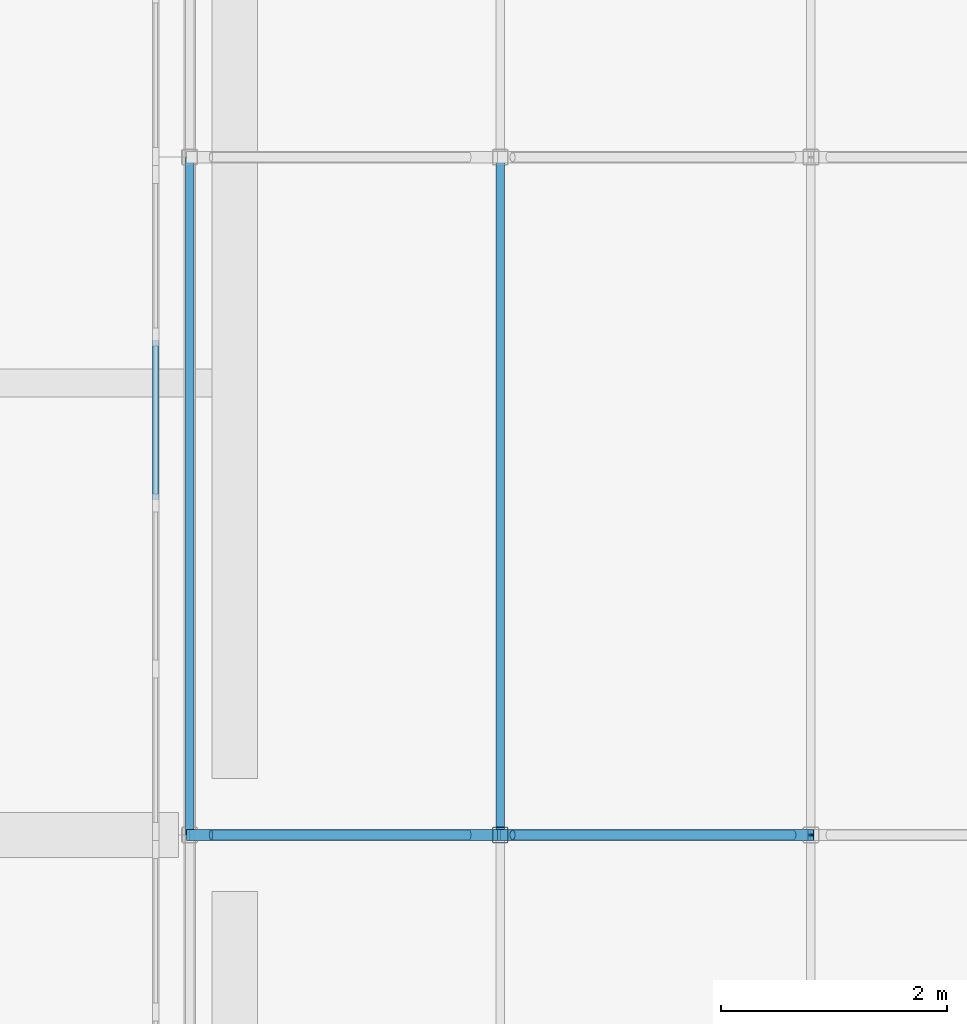
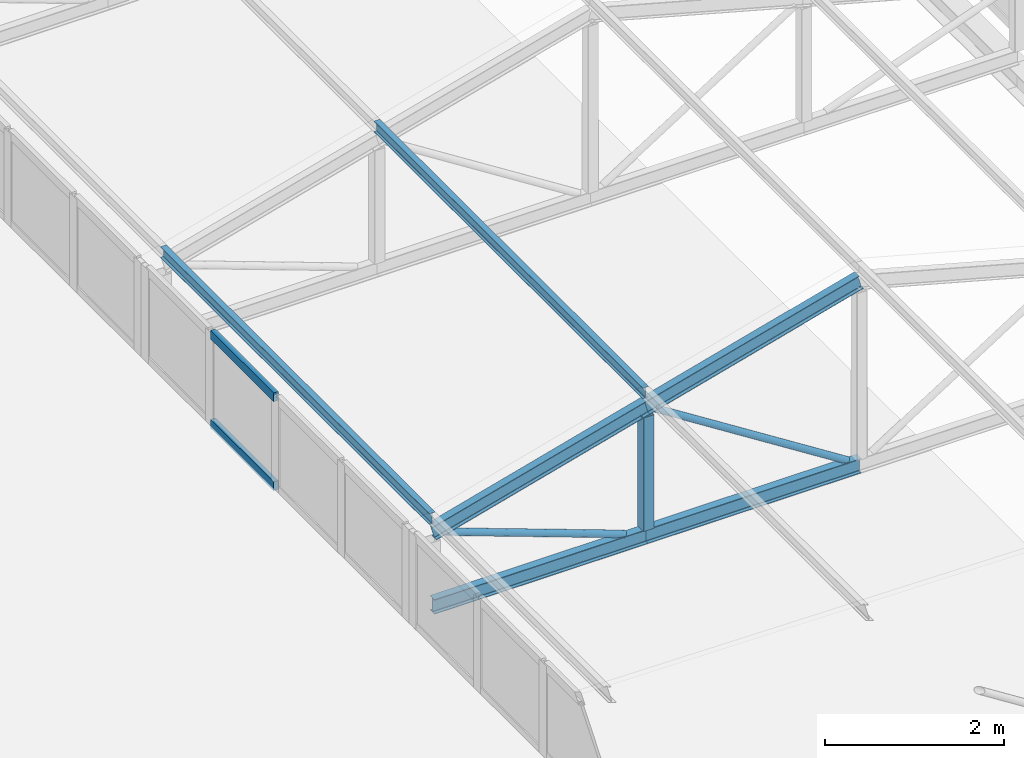
# One storey, part 34 of 94: 11 members, 1 element without a shape of its own.
"""IFC4 building model written with IfcOpenShell, lengths in metres."""

from ifc_helpers import new_model, si_unit, direction, frame, origin, origin_2d, place, context, subcontext, project, spatial, rectangle, hollow_rectangle, hollow_circle, i_section, extrude, material, layer, layer_set, material_profile, profile_set, type_object, element, aggregate, save


model = new_model("IFC4")

# Units and contexts
model_context = context("Model", 3, precision=1e-05, world=origin(), true_north=direction((0.0, 1.0)))
body_context = subcontext(model_context, "Body", "Model", "MODEL_VIEW")
ifc_project = project(units=[si_unit("LENGTHUNIT", "METRE"), si_unit("AREAUNIT", "SQUARE_METRE"), si_unit("VOLUMEUNIT", "CUBIC_METRE"), si_unit("PLANEANGLEUNIT", "RADIAN"), si_unit("MASSUNIT", "GRAM", prefix="KILO")], contexts=[model_context])

# Site, building, storey
site_placement = place(None, origin())
site = spatial("IfcSite", under=ifc_project, at=site_placement, CompositionType="ELEMENT")
building_placement = place(site_placement, origin())
building = spatial("IfcBuilding", under=site, at=building_placement, Name="Lilac Gate Convention Centre", CompositionType="ELEMENT")
storey_placement = place(building_placement, frame((0.0, 0.0, 21.0)))
storey = spatial("IfcBuildingStorey", under=building, at=storey_placement, Name="L04", CompositionType="ELEMENT", Elevation=21.0)

# Curtain wall, members
ifc_material_1 = material(Name="Aluminium framed double glazing", Category="aluminium")
ifc_layer = layer(ifc_material_1, 0.199951171875)
ifc_layer_set = layer_set([ifc_layer], Name="Aluminium framed double glazing")
curtain_wall_type = type_object("IfcCurtainWallType", Name="Unitised curtain wall 1500", PredefinedType="NOTDEFINED", material=ifc_layer_set)
curtain_wall_placement = place(storey_placement, origin())
curtain_wall = element("IfcCurtainWall", 1, at=curtain_wall_placement, inside=storey, type_object=curtain_wall_type, Name="Lantern clerestory W 19", PredefinedType="NOTDEFINED")
ifc_material_2 = material(Name="Aluminium alloy 6063", Category="aluminium")
ifc_material_profile_1 = material_profile(ifc_material_2, rectangle(XDim=0.06005859375, YDim=0.1201171875, at=origin_2d()), Name="Curtain wall transom 60 x 120")
ifc_profile_set_1 = profile_set([ifc_material_profile_1], Name="Aluminium alloy 6063")
member_type_1 = type_object("IfcMemberType", Name="Curtain wall transom 60 x 120", PredefinedType="USERDEFINED", material=ifc_profile_set_1)
member_1_placement = place(storey_placement, frame((17.300048828125, 140.967529296875, 0.030029296875), z_axis=(0.0, 1.0, 0.0), x_axis=(-1.0, 0.0, 0.0)))
member_1 = element("IfcMember", 2, at=member_1_placement, type_object=member_type_1, Name="CW transom 3.1", ObjectType="TRANSOM", PredefinedType="USERDEFINED", context=body_context, shape_type="SweptSolid", body=[
    extrude(rectangle(XDim=0.06005859375, YDim=0.1201171875, at=origin_2d()), origin(), (0.0, 0.0, 1.0), 1.40869140625),
])
member_2_placement = place(storey_placement, frame((17.300048828125, 140.967529296875, 1.2421875), z_axis=(0.0, 1.0, 0.0), x_axis=(-1.0, 0.0, 0.0)))
member_2 = element("IfcMember", 3, at=member_2_placement, type_object=member_type_1, Name="CW transom 3.2", ObjectType="TRANSOM", PredefinedType="USERDEFINED", context=body_context, shape_type="SweptSolid", body=[
    extrude(rectangle(XDim=0.06005859375, YDim=0.1201171875, at=origin_2d()), origin(), (0.0, 0.0, 1.0), 1.40869140625),
])
aggregate(curtain_wall, [member_1, member_2])

# Members
ifc_material_3 = material(Name="Steel Q355B", Category="steel")
ifc_material_profile_2 = material_profile(ifc_material_3, i_section(OverallWidth=0.10009765625, OverallDepth=0.199951171875, WebThickness=0.005615234375, FlangeThickness=0.008056640625, FilletRadius=0.008056640625, at=origin_2d()), Name="HN200x100x5.5x8")
ifc_profile_set_2 = profile_set([ifc_material_profile_2], Name="Steel Q355B")
member_type_2 = type_object("IfcMemberType", Name="Lantern bottom chord HN200x100x5.5x8", PredefinedType="CHORD", material=ifc_profile_set_2)
for number, where, z_axis, x_axis, name in (
    (4, (17.60009765625, 138.0, 0.10009765625), (1.0, 0.0, 0.0), (0.0, 1.0, 0.0), "LB1 lantern truss 19 bottom chord 1"),
    (5, (20.35009765625, 138.0, 0.10009765625), (1.0, 0.0, 0.0), (0.0, 1.0, 0.0), "LB1 lantern truss 19 bottom chord 2"),
):
    element("IfcMember", number, at=place(storey_placement, frame(where, z_axis=z_axis, x_axis=x_axis)), inside=storey, type_object=member_type_2, Name=name, PredefinedType="CHORD", context=body_context, shape_type="SweptSolid", body=[
        extrude(i_section(OverallWidth=0.10009765625, OverallDepth=0.199951171875, WebThickness=0.005615234375, FlangeThickness=0.008056640625, FilletRadius=0.008056640625, at=origin_2d()), origin(), (0.0, 0.0, 1.0), 2.75),
    ])
ifc_material_profile_3 = material_profile(ifc_material_3, hollow_circle(Radius=0.04443359375, WallThickness=0.0048828125, at=origin_2d()), Name="CHS88.9x5")
ifc_profile_set_3 = profile_set([ifc_material_profile_3], Name="Steel Q355B")
member_type_3 = type_object("IfcMemberType", Name="Lantern diagonal CHS88.9x5", PredefinedType="BRACE", material=ifc_profile_set_3)
member_3_placement = place(storey_placement, frame((17.789794921875, 138.0, 1.031005859375), z_axis=(0.939781696917, 0.0, -0.341775309434), x_axis=(0.0, 1.0, 0.0)))
element("IfcMember", 6, at=member_3_placement, inside=storey, type_object=member_type_3, Name="LW1 lantern truss 19 diagonal 1", PredefinedType="BRACE", context=body_context, shape_type="SweptSolid", body=[
    extrude(hollow_circle(Radius=0.04443359375, WallThickness=0.0048828125, at=origin_2d()), origin(), (0.0, 0.0, 1.0), 2.431640625),
])
member_4_placement = place(storey_placement, frame((20.45849609375, 138.0, 1.781005859375), z_axis=(0.843647832412, 0.0, -0.536896949951), x_axis=(0.0, 1.0, 0.0)))
element("IfcMember", 7, at=member_4_placement, inside=storey, type_object=member_type_3, Name="LW1 lantern truss 19 diagonal 2", PredefinedType="BRACE", context=body_context, shape_type="SweptSolid", body=[
    extrude(hollow_circle(Radius=0.04443359375, WallThickness=0.0048828125, at=origin_2d()), origin(), (0.0, 0.0, 1.0), 2.94482421875),
])
ifc_material_profile_4 = material_profile(ifc_material_3, hollow_rectangle(XDim=0.139892578125, YDim=0.139892578125, WallThickness=0.0048828125, InnerFilletRadius=0.0048828125, OuterFilletRadius=0.010009765625, at=origin_2d()), Name="SHS140x140x5")
ifc_profile_set_4 = profile_set([ifc_material_profile_4], Name="Steel Q355B")
member_type_4 = type_object("IfcMemberType", Name="Lantern post SHS140x140x5", PredefinedType="STRUT", material=ifc_profile_set_4)
member_5_placement = place(storey_placement, frame((20.35009765625, 138.0, 0.199951171875), z_axis=(0.0, 0.0, 1.0), x_axis=(1.0, 0.0, 0.0)))
element("IfcMember", 8, at=member_5_placement, inside=storey, type_object=member_type_4, Name="LV1 lantern truss 19 post 2", PredefinedType="STRUT", context=body_context, shape_type="SweptSolid", body=[
    extrude(hollow_rectangle(XDim=0.139892578125, YDim=0.139892578125, WallThickness=0.0048828125, InnerFilletRadius=0.0048828125, OuterFilletRadius=0.010009765625, at=origin_2d()), origin(), (0.0, 0.0, 1.0), 1.546142578125),
])
ifc_material_profile_5 = material_profile(ifc_material_3, i_section(OverallWidth=0.074951171875, OverallDepth=0.14990234375, WebThickness=0.0048828125, FlangeThickness=0.007080078125, FilletRadius=0.008056640625, at=origin_2d()), Name="HN150x75x5x7")
ifc_profile_set_5 = profile_set([ifc_material_profile_5], Name="Steel Q355B")
member_type_5 = type_object("IfcMemberType", Name="Lantern purlin HN150x75x5x7", PredefinedType="PURLIN", material=ifc_profile_set_5)
for number, where, z_axis, x_axis, name in (
    (9, (17.60009765625, 138.0, 1.279052734375), (0.0, 1.0, 0.0), (-1.0, 0.0, 0.0), "LP1 lantern purlin bay 19 line 1"),
    (10, (20.35009765625, 138.0, 2.029052734375), (0.0, 1.0, 0.0), (-1.0, 0.0, 0.0), "LP1 lantern purlin bay 19 line 2"),
):
    element("IfcMember", number, at=place(storey_placement, frame(where, z_axis=z_axis, x_axis=x_axis)), inside=storey, type_object=member_type_5, Name=name, PredefinedType="PURLIN", context=body_context, shape_type="SweptSolid", body=[
        extrude(i_section(OverallWidth=0.074951171875, OverallDepth=0.14990234375, WebThickness=0.0048828125, FlangeThickness=0.007080078125, FilletRadius=0.008056640625, at=origin_2d()), origin(), (0.0, 0.0, 1.0), 6.0),
    ])
ifc_material_profile_6 = material_profile(ifc_material_3, i_section(OverallWidth=0.10009765625, OverallDepth=0.199951171875, WebThickness=0.005615234375, FlangeThickness=0.008056640625, FilletRadius=0.008056640625, at=origin_2d()), Name="HN200x100x5.5x8")
ifc_profile_set_6 = profile_set([ifc_material_profile_6], Name="Steel Q355B")
member_type_6 = type_object("IfcMemberType", Name="Lantern top chord HN200x100x5.5x8", PredefinedType="CHORD", material=ifc_profile_set_6)
for number, where, z_axis, x_axis, name in (
    (11, (17.60009765625, 138.0, 1.10009765625), (0.964763821238, 0.0, 0.263117405792), (0.0, 1.0, 0.0), "LT1 lantern truss 19 top chord 1"),
    (12, (20.35009765625, 138.0, 1.85009765625), (0.964763821238, 0.0, 0.263117405792), (0.0, 1.0, 0.0), "LT1 lantern truss 19 top chord 2"),
):
    element("IfcMember", number, at=place(storey_placement, frame(where, z_axis=z_axis, x_axis=x_axis)), inside=storey, type_object=member_type_6, Name=name, PredefinedType="CHORD", context=body_context, shape_type="SweptSolid", body=[
        extrude(i_section(OverallWidth=0.10009765625, OverallDepth=0.199951171875, WebThickness=0.005615234375, FlangeThickness=0.008056640625, FilletRadius=0.008056640625, at=origin_2d()), origin(), (0.0, 0.0, 1.0), 2.850341796875),
    ])

save(model, "model.ifc")
